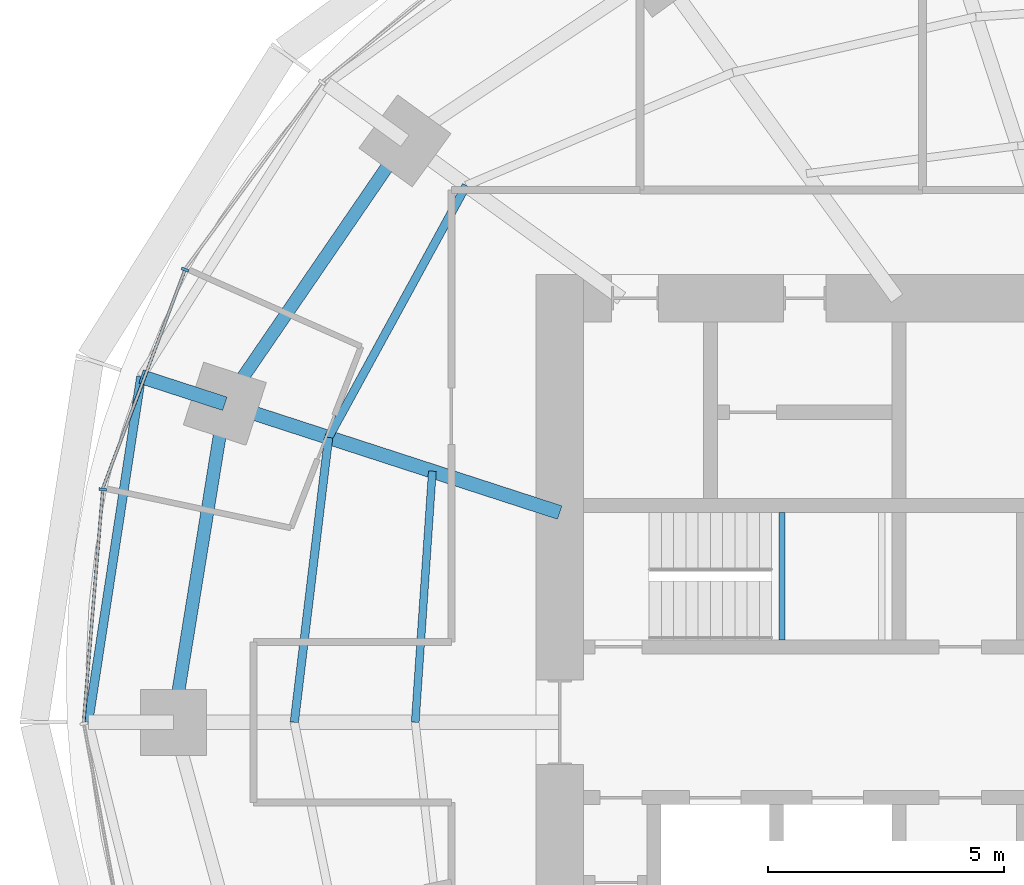
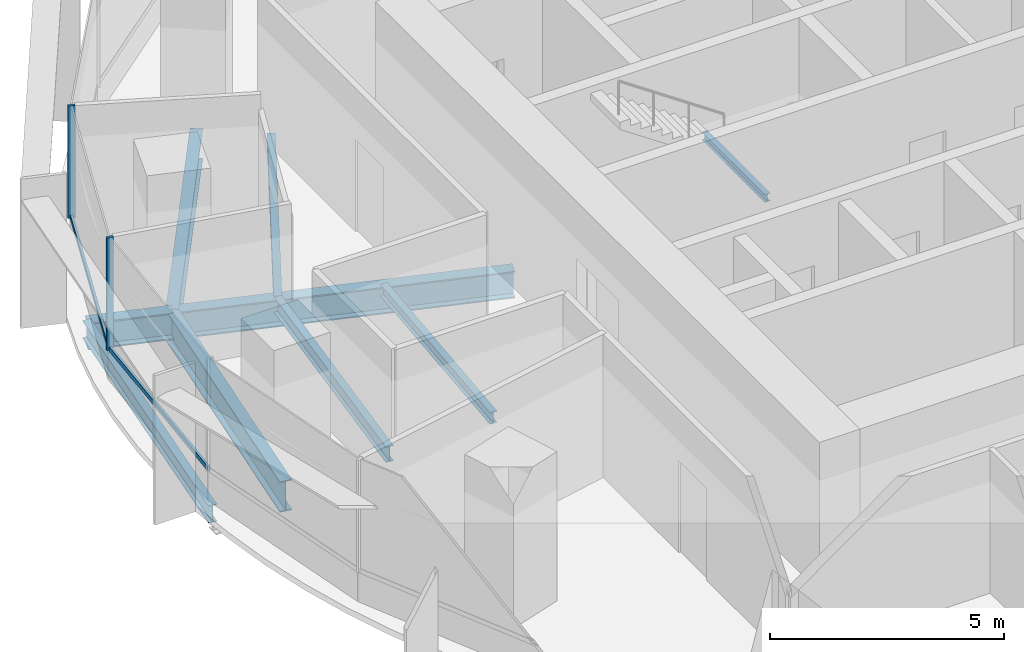
# One storey, part 4 of 14: 9 beams, 4 members, 1 element without a shape of its own.
"""IFC4 building model written with IfcOpenShell, lengths in metres."""

from ifc_helpers import new_model, si_unit, direction, frame, origin, origin_2d, place, context, subcontext, project, spatial, rectangle, i_section, extrude, material, material_profile, profile_set, type_object, element, aggregate, save


model = new_model("IFC4")

# Units and contexts
model_context = context("Model", 3, precision=1e-05, world=origin(), true_north=direction((0.0, 1.0)))
body_context = subcontext(model_context, "Body", "Model", "MODEL_VIEW")
ifc_project = project(units=[si_unit("LENGTHUNIT", "METRE"), si_unit("AREAUNIT", "SQUARE_METRE"), si_unit("VOLUMEUNIT", "CUBIC_METRE"), si_unit("PLANEANGLEUNIT", "RADIAN"), si_unit("MASSUNIT", "GRAM", prefix="KILO")], contexts=[model_context])

# Site, building, storey
site_placement = place(None, origin())
site = spatial("IfcSite", under=ifc_project, at=site_placement, CompositionType="ELEMENT")
building_placement = place(site_placement, origin())
building = spatial("IfcBuilding", under=site, at=building_placement, Name="Marramba Exchange Tower", CompositionType="ELEMENT")
storey_placement = place(building_placement, frame((0.0, 0.0, 195.5)))
storey = spatial("IfcBuildingStorey", under=building, at=storey_placement, Name="L47", CompositionType="ELEMENT", Elevation=195.5)

# Beams
ifc_material_1 = material(Name="Steel AS/NZS 3679.2 grade 300", Category="steel")
ifc_material_profile_1 = material_profile(ifc_material_1, i_section(OverallWidth=0.300048828125, OverallDepth=0.699951171875, WebThickness=0.010009765625, FlangeThickness=0.031982421875, at=origin_2d()), Name="700WB173")
ifc_profile_set_1 = profile_set([ifc_material_profile_1], Name="Steel AS/NZS 3679.2 grade 300")
beam_type_1 = type_object("IfcBeamType", Name="Cantilever girder 700WB173", PredefinedType="BEAM", material=ifc_profile_set_1)
beam_1_placement = place(storey_placement, frame((-20.808349609375, 6.760986328125, -0.510009765625), z_axis=(-0.951047511993, 0.309044705395, 0.0), x_axis=(-0.309044705395, -0.951047511993, 0.0)))
element("IfcBeam", 1, at=beam_1_placement, inside=storey, type_object=beam_type_1, Name="Cantilever girder L47 TC10", PredefinedType="BEAM", context=body_context, shape_type="SweptSolid", body=[
    extrude(i_section(OverallWidth=0.300048828125, OverallDepth=0.699951171875, WebThickness=0.010009765625, FlangeThickness=0.031982421875, at=origin_2d()), origin(), (0.0, 0.0, 1.0), 1.868408203125),
])
ifc_material_2 = material(Name="Steel AS/NZS 3679.1 grade 300", Category="steel")
ifc_material_profile_2 = material_profile(ifc_material_2, i_section(OverallWidth=0.166015625, OverallDepth=0.306884765625, WebThickness=0.006591796875, FlangeThickness=0.01171875, FilletRadius=0.011474609375, at=origin_2d()), Name="310UB46.2")
ifc_profile_set_2 = profile_set([ifc_material_profile_2], Name="Steel AS/NZS 3679.1 grade 300")
beam_type_2 = type_object("IfcBeamType", Name="Floor joist 310UB46.2", PredefinedType="JOIST", material=ifc_profile_set_2)
beam_2_placement = place(storey_placement, frame((-16.40283203125, 5.32958984375, -0.3134765625), z_axis=(-0.068096259546, -0.99767875563, 0.0), x_axis=(0.99767875563, -0.068096259546, 0.0)))
element("IfcBeam", 2, at=beam_2_placement, inside=storey, type_object=beam_type_2, Name="Joist L47 bay 10 row 1", PredefinedType="JOIST", context=body_context, shape_type="SweptSolid", body=[
    extrude(i_section(OverallWidth=0.166015625, OverallDepth=0.306884765625, WebThickness=0.006591796875, FlangeThickness=0.01171875, FilletRadius=0.011474609375, at=origin_2d()), origin(), (0.0, 0.0, 1.0), 5.342041015625),
])
ifc_material_profile_3 = material_profile(ifc_material_2, i_section(OverallWidth=0.177978515625, OverallDepth=0.406005859375, WebThickness=0.0078125, FlangeThickness=0.0126953125, FilletRadius=0.011474609375, at=origin_2d()), Name="410UB59.7")
ifc_profile_set_3 = profile_set([ifc_material_profile_3], Name="Steel AS/NZS 3679.1 grade 300")
beam_type_3 = type_object("IfcBeamType", Name="Floor joist 410UB59.7", PredefinedType="JOIST", material=ifc_profile_set_3)
beam_3_placement = place(storey_placement, frame((-15.682373046875, 11.393798828125, -0.363037109375), z_axis=(-0.479584443791, -0.877495732909, 0.0), x_axis=(0.877495732909, -0.479584443791, 0.0)))
element("IfcBeam", 3, at=beam_3_placement, inside=storey, type_object=beam_type_3, Name="Joist L47 bay 09 row 2", PredefinedType="JOIST", context=body_context, shape_type="SweptSolid", body=[
    extrude(i_section(OverallWidth=0.177978515625, OverallDepth=0.406005859375, WebThickness=0.0078125, FlangeThickness=0.0126953125, FilletRadius=0.011474609375, at=origin_2d()), origin(), (0.0, 0.0, 1.0), 6.094970703125),
])
beam_4_placement = place(storey_placement, frame((-18.60546875, 6.04541015625, -0.363037109375), z_axis=(-0.119523078538, -0.992831422597, 0.0), x_axis=(0.992831422597, -0.119523078538, 0.0)))
element("IfcBeam", 4, at=beam_4_placement, inside=storey, type_object=beam_type_3, Name="Joist L47 bay 10 row 2", PredefinedType="JOIST", context=body_context, shape_type="SweptSolid", body=[
    extrude(i_section(OverallWidth=0.177978515625, OverallDepth=0.406005859375, WebThickness=0.0078125, FlangeThickness=0.0126953125, FilletRadius=0.011474609375, at=origin_2d()), origin(), (0.0, 0.0, 1.0), 6.089111328125),
])

# Curtain wall, members
ifc_material_3 = material(Name="Aluminium framing, bronze anodised", Category="aluminium")
curtain_wall_type = type_object("IfcCurtainWallType", Name="Office ribbon curtain wall", PredefinedType="USERDEFINED", material=ifc_material_3)
curtain_wall_placement = place(storey_placement, origin())
curtain_wall = element("IfcCurtainWall", 5, at=curtain_wall_placement, inside=storey, type_object=curtain_wall_type, Name="Curtain wall CW4 L47 F11-F15", ObjectType="RIBBON CURTAIN WALL", PredefinedType="USERDEFINED")
ifc_material_4 = material(Name="Aluminium mullion, bronze anodised", Category="aluminium")
ifc_material_profile_4 = material_profile(ifc_material_4, rectangle(XDim=0.159912109375, YDim=0.06005859375, at=origin_2d()), Name="CW4 mullion 60x160")
ifc_profile_set_4 = profile_set([ifc_material_profile_4], Name="Aluminium mullion, bronze anodised")
member_type_1 = type_object("IfcMemberType", Name="Office ribbon curtain wall mullion", PredefinedType="MULLION", material=ifc_profile_set_4)
member_1_placement = place(storey_placement, frame((-21.65283203125, 9.607666015625, 0.800048828125), z_axis=(0.0, 0.0, 1.0), x_axis=(0.936018231909, -0.351951515885, 0.0)))
member_1 = element("IfcMember", 6, at=member_1_placement, type_object=member_type_1, Name="CW4 mullion 1", PredefinedType="MULLION", context=body_context, shape_type="SweptSolid", body=[
    extrude(rectangle(XDim=0.159912109375, YDim=0.06005859375, at=origin_2d()), origin(), (0.0, 0.0, 1.0), 2.93994140625),
])
member_2_placement = place(storey_placement, frame((-23.39794921875, 4.94287109375, 0.800048828125), z_axis=(0.0, 0.0, 1.0), x_axis=(0.996609178714, -0.082280890264, 0.0)))
member_2 = element("IfcMember", 7, at=member_2_placement, type_object=member_type_1, Name="CW4 mullion 1", PredefinedType="MULLION", context=body_context, shape_type="SweptSolid", body=[
    extrude(rectangle(XDim=0.159912109375, YDim=0.06005859375, at=origin_2d()), origin(), (0.0, 0.0, 1.0), 2.93994140625),
])
ifc_material_5 = material(Name="Aluminium transom, bronze anodised", Category="aluminium")
ifc_material_profile_5 = material_profile(ifc_material_5, rectangle(XDim=0.06005859375, YDim=0.1201171875, at=origin_2d()), Name="CW4 transom 60x120")
ifc_profile_set_5 = profile_set([ifc_material_profile_5], Name="Aluminium transom, bronze anodised")
member_type_2 = type_object("IfcMemberType", Name="Office ribbon curtain wall transom", PredefinedType="USERDEFINED", material=ifc_profile_set_5)
member_3_placement = place(storey_placement, frame((-21.663330078125, 9.57958984375, 0.830078125), z_axis=(-0.351955054115, -0.936016901494, 0.0), x_axis=(0.936016901494, -0.351955054115, 0.0)))
member_3 = element("IfcMember", 8, at=member_3_placement, type_object=member_type_2, Name="CW4 sill transom", ObjectType="TRANSOM", PredefinedType="USERDEFINED", context=body_context, shape_type="SweptSolid", body=[
    extrude(rectangle(XDim=0.06005859375, YDim=0.1201171875, at=origin_2d()), origin(), (0.0, 0.0, 1.0), 4.921630859375),
])
member_4_placement = place(storey_placement, frame((-23.400390625, 4.9130859375, 0.830078125), z_axis=(-0.082258542539, -0.996611023509, 0.0), x_axis=(0.996611023509, -0.082258542539, 0.0)))
member_4 = element("IfcMember", 9, at=member_4_placement, type_object=member_type_2, Name="CW4 sill transom", ObjectType="TRANSOM", PredefinedType="USERDEFINED", context=body_context, shape_type="SweptSolid", body=[
    extrude(rectangle(XDim=0.06005859375, YDim=0.1201171875, at=origin_2d()), origin(), (0.0, 0.0, 1.0), 4.9296875),
])
aggregate(curtain_wall, [member_1, member_3, member_2, member_4])

# Beams
ifc_material_profile_6 = material_profile(ifc_material_1, i_section(OverallWidth=0.300048828125, OverallDepth=0.699951171875, WebThickness=0.010009765625, FlangeThickness=0.031982421875, at=origin_2d()), Name="700WB173")
ifc_profile_set_6 = profile_set([ifc_material_profile_6], Name="Steel AS/NZS 3679.2 grade 300")
beam_type_4 = type_object("IfcBeamType", Name="Radial girder 700WB173", PredefinedType="BEAM", material=ifc_profile_set_6)
beam_5_placement = place(storey_placement, frame((-13.699951171875, 4.451416015625, -0.510009765625), z_axis=(-0.951059990189, 0.309006302624, 0.0), x_axis=(-0.309006302624, -0.951059990189, 0.0)))
element("IfcBeam", 10, at=beam_5_placement, inside=storey, type_object=beam_type_4, Name="Radial girder L47 TC10", PredefinedType="BEAM", context=body_context, shape_type="SweptSolid", body=[
    extrude(i_section(OverallWidth=0.300048828125, OverallDepth=0.699951171875, WebThickness=0.010009765625, FlangeThickness=0.031982421875, at=origin_2d()), origin(), (0.0, 0.0, 1.0), 7.47412109375),
])
ifc_material_profile_7 = material_profile(ifc_material_1, i_section(OverallWidth=0.27490234375, OverallDepth=0.800048828125, WebThickness=0.010009765625, FlangeThickness=0.02490234375, at=origin_2d()), Name="800WB168")
ifc_profile_set_7 = profile_set([ifc_material_profile_7], Name="Steel AS/NZS 3679.2 grade 300")
beam_type_5 = type_object("IfcBeamType", Name="Ring beam 800WB168", PredefinedType="SPANDREL", material=ifc_profile_set_7)
beam_6_placement = place(storey_placement, frame((-16.98583984375, 12.3408203125, -0.56005859375), z_axis=(-0.56516002054, -0.824981303535, 0.0), x_axis=(0.824981303535, -0.56516002054, 0.0)))
element("IfcBeam", 11, at=beam_6_placement, inside=storey, type_object=beam_type_5, Name="Ring beam L47 TC09-TC10", PredefinedType="SPANDREL", context=body_context, shape_type="SweptSolid", body=[
    extrude(i_section(OverallWidth=0.27490234375, OverallDepth=0.800048828125, WebThickness=0.010009765625, FlangeThickness=0.02490234375, at=origin_2d()), origin(), (0.0, 0.0, 1.0), 6.763671875),
])
beam_7_placement = place(storey_placement, frame((-20.808349609375, 6.760986328125, -0.56005859375), z_axis=(-0.159384865399, -0.987216523708, 0.0), x_axis=(0.987216523708, -0.159384865399, 0.0)))
element("IfcBeam", 12, at=beam_7_placement, inside=storey, type_object=beam_type_5, Name="Ring beam L47 TC10-TC11", PredefinedType="SPANDREL", context=body_context, shape_type="SweptSolid", body=[
    extrude(i_section(OverallWidth=0.27490234375, OverallDepth=0.800048828125, WebThickness=0.010009765625, FlangeThickness=0.02490234375, at=origin_2d()), origin(), (0.0, 0.0, 1.0), 6.8486328125),
])
ifc_material_profile_8 = material_profile(ifc_material_2, i_section(OverallWidth=0.19091796875, OverallDepth=0.4599609375, WebThickness=0.010009765625, FlangeThickness=0.01611328125, FilletRadius=0.011474609375, at=origin_2d()), Name="460UB82.1")
ifc_profile_set_8 = profile_set([ifc_material_profile_8], Name="Steel AS/NZS 3679.1 grade 300")
beam_type_6 = type_object("IfcBeamType", Name="Slab edge beam 460UB82.1", PredefinedType="SPANDREL", material=ifc_profile_set_8)
beam_8_placement = place(storey_placement, frame((-22.585205078125, 7.33837890625, -0.389892578125), z_axis=(-0.150987012186, -0.988535746522, 0.0), x_axis=(0.988535746522, -0.150987012186, 0.0)))
element("IfcBeam", 13, at=beam_8_placement, inside=storey, type_object=beam_type_6, Name="Slab edge beam L47 TC10-TC11", PredefinedType="SPANDREL", context=body_context, shape_type="SweptSolid", body=[
    extrude(i_section(OverallWidth=0.19091796875, OverallDepth=0.4599609375, WebThickness=0.010009765625, FlangeThickness=0.01611328125, FilletRadius=0.011474609375, at=origin_2d()), origin(), (0.0, 0.0, 1.0), 7.423583984375),
])
ifc_material_profile_9 = material_profile(ifc_material_2, i_section(OverallWidth=0.133056640625, OverallDepth=0.202880859375, WebThickness=0.005859375, FlangeThickness=0.0078125, FilletRadius=0.0087890625, at=origin_2d()), Name="200UB25.4")
ifc_profile_set_9 = profile_set([ifc_material_profile_9], Name="Steel AS/NZS 3679.1 grade 300")
beam_type_7 = type_object("IfcBeamType", Name="Stair landing beam 200UB25.4", PredefinedType="BEAM", material=ifc_profile_set_9)
beam_9_placement = place(storey_placement, frame((-8.9833984375, 1.75, 1.6484375), z_axis=(0.0, 1.0, 0.0), x_axis=(-1.0, 0.0, 0.0)))
element("IfcBeam", 14, at=beam_9_placement, inside=storey, type_object=beam_type_7, Name="Stair landing beam SLB1 ST1 L47 1", PredefinedType="BEAM", context=body_context, shape_type="SweptSolid", body=[
    extrude(i_section(OverallWidth=0.133056640625, OverallDepth=0.202880859375, WebThickness=0.005859375, FlangeThickness=0.0078125, FilletRadius=0.0087890625, at=origin_2d()), origin(), (0.0, 0.0, 1.0), 2.699951171875),
])

save(model, "model.ifc")
